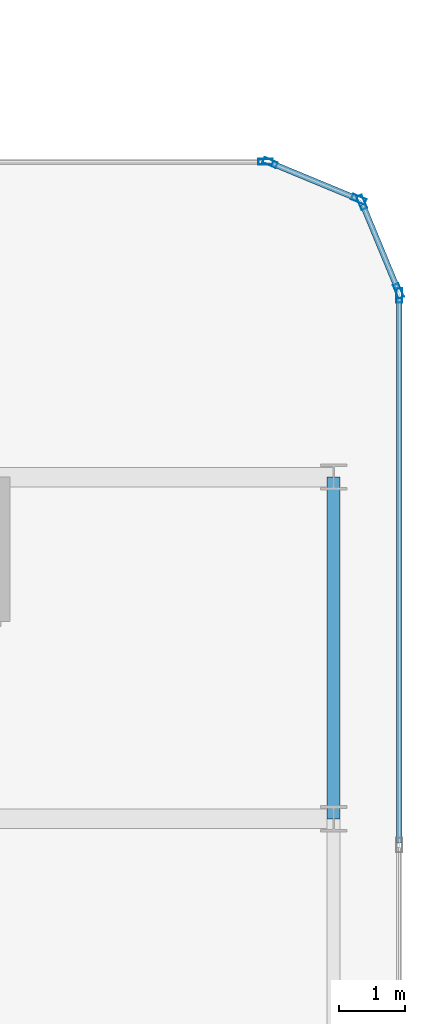
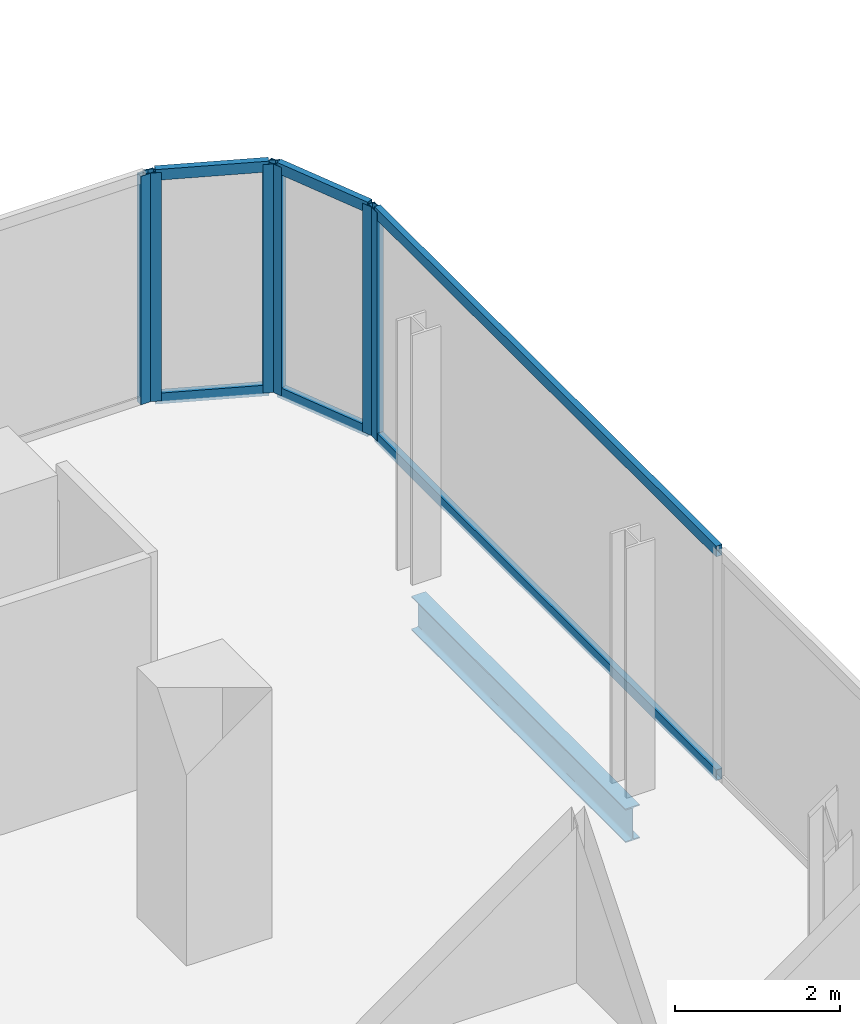
# One storey, part 19 of 33: 12 members, 1 beam, 4 elements without a shape of their own.
"""IFC4 building model written with IfcOpenShell, lengths in metres."""

from ifc_helpers import new_model, si_unit, direction, frame, origin, origin_2d, place, context, subcontext, project, spatial, hollow_rectangle, i_section, extrude, material, layer, layer_set, material_profile, profile_set, type_object, element, aggregate, save


model = new_model("IFC4")

# Units and contexts
model_context = context("Model", 3, precision=1e-05, world=origin(), true_north=direction((0.0, 1.0)))
body_context = subcontext(model_context, "Body", "Model", "MODEL_VIEW")
ifc_project = project(units=[si_unit("LENGTHUNIT", "METRE"), si_unit("AREAUNIT", "SQUARE_METRE"), si_unit("VOLUMEUNIT", "CUBIC_METRE"), si_unit("PLANEANGLEUNIT", "RADIAN"), si_unit("MASSUNIT", "GRAM", prefix="KILO")], contexts=[model_context])

# Site, building, storey
site_placement = place(None, origin())
site = spatial("IfcSite", under=ifc_project, at=site_placement, CompositionType="ELEMENT")
building_placement = place(site_placement, origin())
building = spatial("IfcBuilding", under=site, at=building_placement, Name="Keshet Zoharim Tower", CompositionType="ELEMENT")
storey_placement = place(building_placement, frame((0.0, 0.0, 73.800048828125)))
storey = spatial("IfcBuildingStorey", under=building, at=storey_placement, Name="L17", CompositionType="ELEMENT", Elevation=73.800048828125)

# Beam
ifc_material_1 = material(Name="Steel S355", Category="steel")
ifc_material_profile_1 = material_profile(ifc_material_1, i_section(OverallWidth=0.199951171875, OverallDepth=0.5, WebThickness=0.01025390625, FlangeThickness=0.01611328125, FilletRadius=0.02099609375, at=origin_2d()), Name="IPE500")
ifc_profile_set_1 = profile_set([ifc_material_profile_1], Name="Steel S355")
beam_type = type_object("IfcBeamType", Name="BM-PRI-IP500", PredefinedType="BEAM", material=ifc_profile_set_1)
beam_placement = place(storey_placement, frame((69.0, 22.699951171875, -0.56494140625), z_axis=(0.0, 1.0, 0.0), x_axis=(-1.0, 0.0, 0.0)))
element("IfcBeam", 1, at=beam_placement, inside=storey, type_object=beam_type, Name="L17 Primary Girder Y-025", PredefinedType="BEAM", context=body_context, shape_type="SweptSolid", body=[
    extrude(i_section(OverallWidth=0.199951171875, OverallDepth=0.5, WebThickness=0.01025390625, FlangeThickness=0.01611328125, FilletRadius=0.02099609375, at=origin_2d()), origin(), (0.0, 0.0, 1.0), 5.199951171875),
])

# Curtain wall, member
ifc_material_2 = material(Name="Aluminium 6063-T6", Category="aluminium")
ifc_layer = layer(ifc_material_2, 0.169921875)
ifc_layer_set = layer_set([ifc_layer], Name="Aluminium 6063-T6")
curtain_wall_type = type_object("IfcCurtainWallType", Name="CW-SYS-02", PredefinedType="NOTDEFINED", material=ifc_layer_set)
curtain_wall_1_placement = place(storey_placement, origin())
curtain_wall_1 = element("IfcCurtainWall", 2, at=curtain_wall_1_placement, inside=storey, type_object=curtain_wall_type, Name="L17 Unitised Curtain Wall 13", PredefinedType="NOTDEFINED")
ifc_material_profile_2 = material_profile(ifc_material_2, hollow_rectangle(XDim=0.090087890625, YDim=0.219970703125, WallThickness=0.0048828125, at=origin_2d()), Name="MUL-90x220")
ifc_profile_set_2 = profile_set([ifc_material_profile_2], Name="Aluminium 6063-T6")
member_type_1 = type_object("IfcMemberType", Name="CWM-M22", PredefinedType="MULLION", material=ifc_profile_set_2)
member_1_placement = place(storey_placement, frame((67.965087890625, 32.699951171875, 0.0), z_axis=(0.0, 0.0, 1.0), x_axis=(0.0, 1.0, 0.0)))
member_1 = element("IfcMember", 3, at=member_1_placement, type_object=member_type_1, Name="CW-02 mullion 2", PredefinedType="MULLION", context=body_context, shape_type="SweptSolid", body=[
    extrude(hollow_rectangle(XDim=0.090087890625, YDim=0.219970703125, WallThickness=0.0048828125, at=origin_2d()), origin(), (0.0, 0.0, 1.0), 3.385009765625),
])
aggregate(curtain_wall_1, [member_1])

# Curtain wall, members
curtain_wall_2_placement = place(storey_placement, origin())
curtain_wall_2 = element("IfcCurtainWall", 4, at=curtain_wall_2_placement, inside=storey, type_object=curtain_wall_type, Name="L17 Unitised Curtain Wall 14", PredefinedType="NOTDEFINED")
member_2_placement = place(storey_placement, frame((68.0322265625, 32.6865234375, 0.0), z_axis=(0.0, 0.0, 1.0), x_axis=(0.382851849847, 0.92380975372, 0.0)))
member_2 = element("IfcMember", 5, at=member_2_placement, type_object=member_type_1, Name="CW-02 mullion 1", PredefinedType="MULLION", context=body_context, shape_type="SweptSolid", body=[
    extrude(hollow_rectangle(XDim=0.090087890625, YDim=0.219970703125, WallThickness=0.0048828125, at=origin_2d()), origin(), (0.0, 0.0, 1.0), 3.385009765625),
])
member_3_placement = place(storey_placement, frame((69.381591796875, 32.12744140625, 0.0), z_axis=(0.0, 0.0, 1.0), x_axis=(0.382851849847, 0.92380975372, 0.0)))
member_3 = element("IfcMember", 6, at=member_3_placement, type_object=member_type_1, Name="CW-02 mullion 2", PredefinedType="MULLION", context=body_context, shape_type="SweptSolid", body=[
    extrude(hollow_rectangle(XDim=0.090087890625, YDim=0.219970703125, WallThickness=0.0048828125, at=origin_2d()), origin(), (0.0, 0.0, 1.0), 3.385009765625),
])

curtain_wall_3_placement = place(storey_placement, origin())
curtain_wall_3 = element("IfcCurtainWall", 7, at=curtain_wall_3_placement, inside=storey, type_object=curtain_wall_type, Name="L17 Unitised Curtain Wall 15", PredefinedType="NOTDEFINED")
member_4_placement = place(storey_placement, frame((69.427490234375, 32.081787109375, 0.0), z_axis=(0.0, 0.0, 1.0), x_axis=(0.92380975372, 0.382851849847, 0.0)))
member_4 = element("IfcMember", 8, at=member_4_placement, type_object=member_type_1, Name="CW-02 mullion 1", PredefinedType="MULLION", context=body_context, shape_type="SweptSolid", body=[
    extrude(hollow_rectangle(XDim=0.090087890625, YDim=0.219970703125, WallThickness=0.0048828125, at=origin_2d()), origin(), (0.0, 0.0, 1.0), 3.385009765625),
])
member_5_placement = place(storey_placement, frame((69.986572265625, 30.732421875, 0.0), z_axis=(0.0, 0.0, 1.0), x_axis=(0.92380975372, 0.382851849847, 0.0)))
member_5 = element("IfcMember", 9, at=member_5_placement, type_object=member_type_1, Name="CW-02 mullion 2", PredefinedType="MULLION", context=body_context, shape_type="SweptSolid", body=[
    extrude(hollow_rectangle(XDim=0.090087890625, YDim=0.219970703125, WallThickness=0.0048828125, at=origin_2d()), origin(), (0.0, 0.0, 1.0), 3.385009765625),
])

# Curtain wall, member
curtain_wall_4_placement = place(storey_placement, origin())
curtain_wall_4 = element("IfcCurtainWall", 10, at=curtain_wall_4_placement, inside=storey, type_object=curtain_wall_type, Name="L17 Unitised Curtain Wall 16", PredefinedType="NOTDEFINED")
member_6_placement = place(storey_placement, frame((70.0, 30.6650390625, 0.0), z_axis=(0.0, 0.0, 1.0), x_axis=(1.0, 0.0, 0.0)))
member_6 = element("IfcMember", 11, at=member_6_placement, type_object=member_type_1, Name="CW-02 mullion 1", PredefinedType="MULLION", context=body_context, shape_type="SweptSolid", body=[
    extrude(hollow_rectangle(XDim=0.090087890625, YDim=0.219970703125, WallThickness=0.0048828125, at=origin_2d()), origin(), (0.0, 0.0, 1.0), 3.385009765625),
])

# Member
ifc_material_profile_3 = material_profile(ifc_material_2, hollow_rectangle(XDim=0.0849609375, YDim=0.159912109375, WallThickness=0.00439453125, at=origin_2d()), Name="TRN-85x160")
ifc_profile_set_3 = profile_set([ifc_material_profile_3], Name="Aluminium 6063-T6")
member_type_2 = type_object("IfcMemberType", Name="CWT-T16", PredefinedType="USERDEFINED", material=ifc_profile_set_3)
member_7_placement = place(storey_placement, frame((68.064697265625, 32.673095703125, 0.034912109375), z_axis=(0.923854189844, -0.382744609247, 0.0), x_axis=(0.382744609247, 0.923854189844, 0.0)))
member_7 = element("IfcMember", 12, at=member_7_placement, type_object=member_type_2, Name="CW-02 transom 1.1", ObjectType="TRANSOM", PredefinedType="USERDEFINED", context=body_context, shape_type="SweptSolid", body=[
    extrude(hollow_rectangle(XDim=0.0849609375, YDim=0.159912109375, WallThickness=0.00439453125, at=origin_2d()), origin(), (0.0, 0.0, 1.0), 1.390625),
])

member_8_placement = place(storey_placement, frame((68.064697265625, 32.673095703125, 3.349853515625), z_axis=(0.923854189844, -0.382744609247, 0.0), x_axis=(0.382744609247, 0.923854189844, 0.0)))
member_8 = element("IfcMember", 13, at=member_8_placement, type_object=member_type_2, Name="CW-02 transom 1.2", ObjectType="TRANSOM", PredefinedType="USERDEFINED", context=body_context, shape_type="SweptSolid", body=[
    extrude(hollow_rectangle(XDim=0.0849609375, YDim=0.159912109375, WallThickness=0.00439453125, at=origin_2d()), origin(), (0.0, 0.0, 1.0), 1.390625),
])

aggregate(curtain_wall_2, [member_2, member_3, member_7, member_8])

member_9_placement = place(storey_placement, frame((69.44091796875, 32.04931640625, 0.034912109375), z_axis=(0.382744609247, -0.923854189844, 0.0), x_axis=(0.923854189844, 0.382744609247, 0.0)))
member_9 = element("IfcMember", 14, at=member_9_placement, type_object=member_type_2, Name="CW-02 transom 1.1", ObjectType="TRANSOM", PredefinedType="USERDEFINED", context=body_context, shape_type="SweptSolid", body=[
    extrude(hollow_rectangle(XDim=0.0849609375, YDim=0.159912109375, WallThickness=0.00439453125, at=origin_2d()), origin(), (0.0, 0.0, 1.0), 1.390625),
])

member_10_placement = place(storey_placement, frame((69.44091796875, 32.04931640625, 3.349853515625), z_axis=(0.382744609247, -0.923854189844, 0.0), x_axis=(0.923854189844, 0.382744609247, 0.0)))
member_10 = element("IfcMember", 15, at=member_10_placement, type_object=member_type_2, Name="CW-02 transom 1.2", ObjectType="TRANSOM", PredefinedType="USERDEFINED", context=body_context, shape_type="SweptSolid", body=[
    extrude(hollow_rectangle(XDim=0.0849609375, YDim=0.159912109375, WallThickness=0.00439453125, at=origin_2d()), origin(), (0.0, 0.0, 1.0), 1.390625),
])

aggregate(curtain_wall_3, [member_4, member_5, member_9, member_10])

member_11_placement = place(storey_placement, frame((70.0, 30.6298828125, 0.034912109375), z_axis=(0.0, -1.0, 0.0), x_axis=(1.0, 0.0, 0.0)))
member_11 = element("IfcMember", 16, at=member_11_placement, type_object=member_type_2, Name="CW-02 transom 1.1", ObjectType="TRANSOM", PredefinedType="USERDEFINED", context=body_context, shape_type="SweptSolid", body=[
    extrude(hollow_rectangle(XDim=0.0849609375, YDim=0.159912109375, WallThickness=0.00439453125, at=origin_2d()), origin(), (0.0, 0.0, 1.0), 8.29638671875),
])

member_12_placement = place(storey_placement, frame((70.0, 30.6298828125, 3.349853515625), z_axis=(0.0, -1.0, 0.0), x_axis=(1.0, 0.0, 0.0)))
member_12 = element("IfcMember", 17, at=member_12_placement, type_object=member_type_2, Name="CW-02 transom 1.2", ObjectType="TRANSOM", PredefinedType="USERDEFINED", context=body_context, shape_type="SweptSolid", body=[
    extrude(hollow_rectangle(XDim=0.0849609375, YDim=0.159912109375, WallThickness=0.00439453125, at=origin_2d()), origin(), (0.0, 0.0, 1.0), 8.29638671875),
])

aggregate(curtain_wall_4, [member_6, member_11, member_12])

save(model, "model.ifc")
